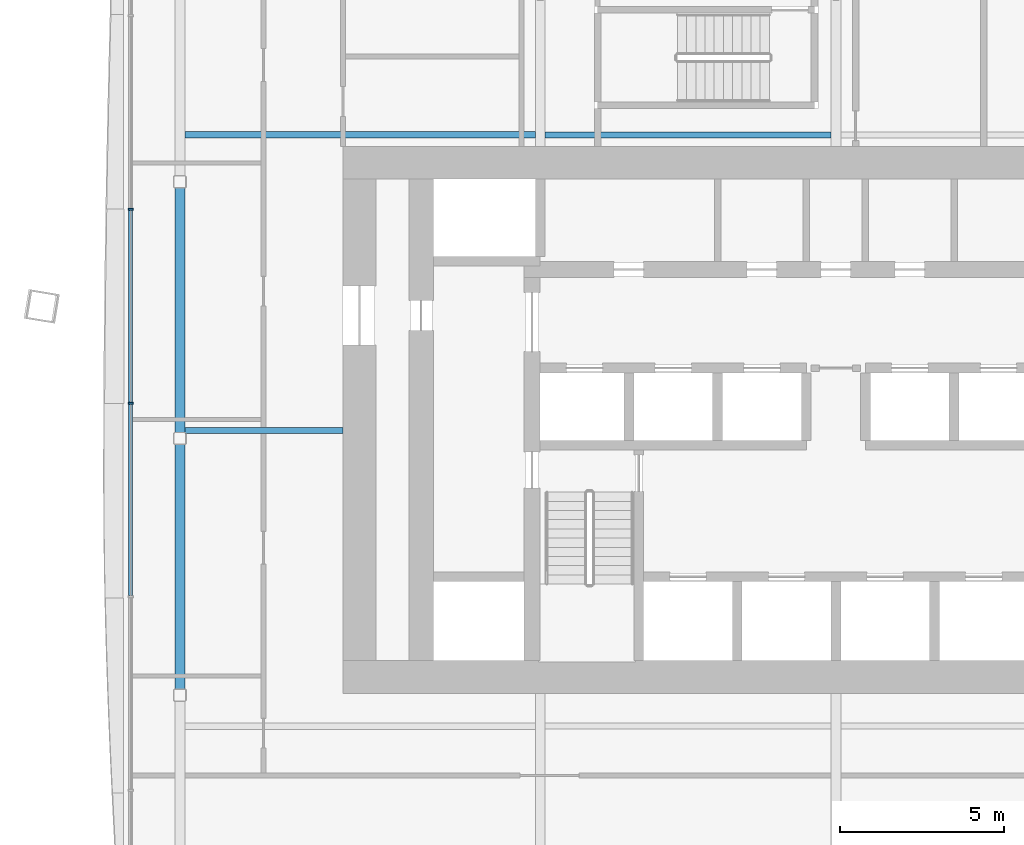
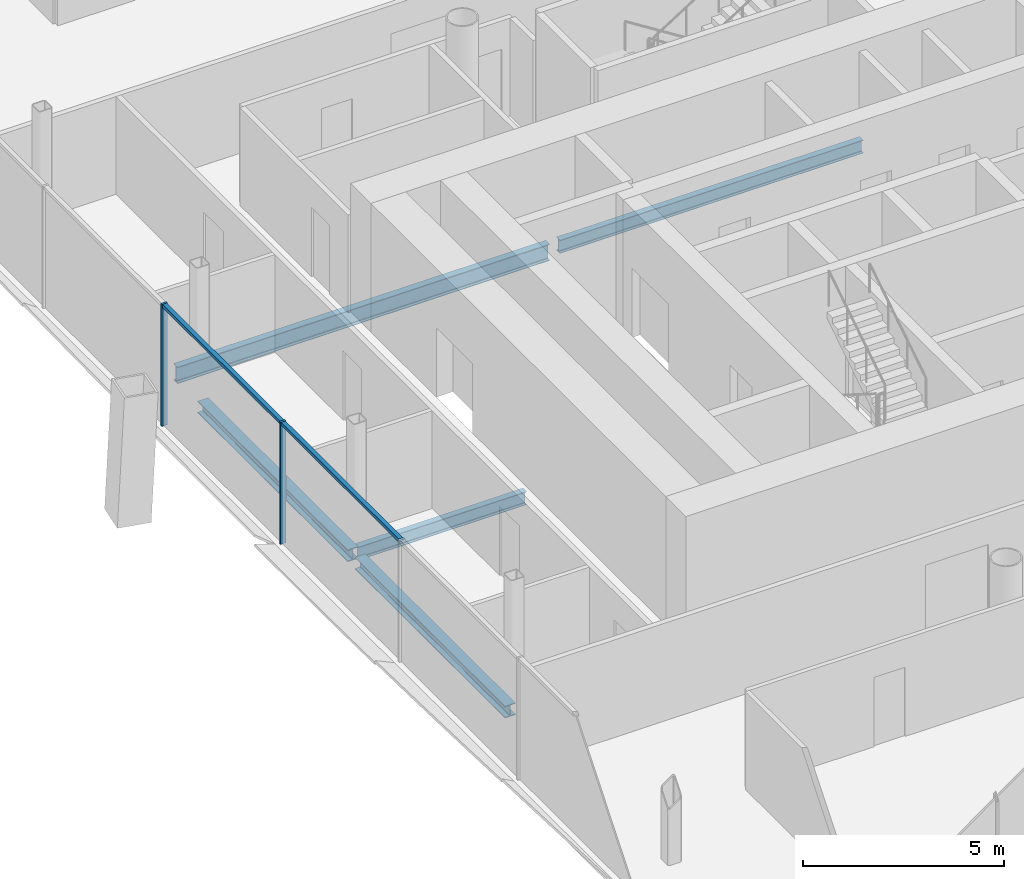
# One storey, part 4 of 19: 5 beams, 4 members, 1 element without a shape of its own.
"""IFC4 building model written with IfcOpenShell, lengths in metres."""

from ifc_helpers import new_model, si_unit, direction, frame, origin, origin_2d, place, context, subcontext, project, spatial, rectangle, i_section, extrude, material, material_profile, profile_set, type_object, element, aggregate, save


model = new_model("IFC4")

# Units and contexts
model_context = context("Model", 3, precision=1e-05, world=origin(), true_north=direction((0.0, 1.0)))
body_context = subcontext(model_context, "Body", "Model", "MODEL_VIEW")
ifc_project = project(units=[si_unit("LENGTHUNIT", "METRE"), si_unit("AREAUNIT", "SQUARE_METRE"), si_unit("VOLUMEUNIT", "CUBIC_METRE"), si_unit("PLANEANGLEUNIT", "RADIAN"), si_unit("MASSUNIT", "GRAM", prefix="KILO")], contexts=[model_context])

# Site, building, storey
site_placement = place(None, origin())
site = spatial("IfcSite", under=ifc_project, at=site_placement, CompositionType="ELEMENT")
building_placement = place(site_placement, origin())
building = spatial("IfcBuilding", under=site, at=building_placement, Name="Tskaro Facet Tower", CompositionType="ELEMENT")
storey_placement = place(building_placement, frame((0.0, 0.0, 93.300048828125)))
storey = spatial("IfcBuildingStorey", under=building, at=storey_placement, Name="L22", CompositionType="ELEMENT", Elevation=93.300048828125)

# Curtain wall, members
ifc_material_1 = material(Name="Bronze anodised aluminium 6063-T6", Category="aluminium")
curtain_wall_type = type_object("IfcCurtainWallType", Name="Bronze office curtain wall (FW1)", PredefinedType="NOTDEFINED", material=ifc_material_1)
curtain_wall_placement = place(storey_placement, origin())
curtain_wall = element("IfcCurtainWall", 1, at=curtain_wall_placement, inside=storey, type_object=curtain_wall_type, Name="FW1 west facet L22", PredefinedType="NOTDEFINED")
ifc_material_profile_1 = material_profile(ifc_material_1, rectangle(XDim=0.06005859375, YDim=0.159912109375, at=origin_2d()), Name="Mullion 60x160")
ifc_profile_set_1 = profile_set([ifc_material_profile_1], Name="Bronze anodised aluminium 6063-T6")
member_type_1 = type_object("IfcMemberType", Name="FW1 bronze mullion 60x160", PredefinedType="MULLION", material=ifc_profile_set_1)
member_1_placement = place(storey_placement, frame((-21.462890625, 2.229736328125, 0.0), z_axis=(0.0, 0.0, 1.0), x_axis=(0.0, -1.0, 0.0)))
member_1 = element("IfcMember", 2, at=member_1_placement, type_object=member_type_1, Name="FW1 west mullion 3", PredefinedType="MULLION", context=body_context, shape_type="SweptSolid", body=[
    extrude(rectangle(XDim=0.06005859375, YDim=0.159912109375, at=origin_2d()), origin(), (0.0, 0.0, 1.0), 3.699951171875),
])
member_2_placement = place(storey_placement, frame((-21.462890625, -3.664794921875, 0.0), z_axis=(0.0, 0.0, 1.0), x_axis=(0.0, -1.0, 0.0)))
member_2 = element("IfcMember", 3, at=member_2_placement, type_object=member_type_1, Name="FW1 west mullion 4", PredefinedType="MULLION", context=body_context, shape_type="SweptSolid", body=[
    extrude(rectangle(XDim=0.06005859375, YDim=0.159912109375, at=origin_2d()), origin(), (0.0, 0.0, 1.0), 3.699951171875),
])
ifc_material_profile_2 = material_profile(ifc_material_1, rectangle(XDim=0.1201171875, YDim=0.10009765625, at=origin_2d()), Name="Transom 120x100")
ifc_profile_set_2 = profile_set([ifc_material_profile_2], Name="Bronze anodised aluminium 6063-T6")
member_type_2 = type_object("IfcMemberType", Name="FW1 bronze transom 120x100", PredefinedType="USERDEFINED", material=ifc_profile_set_2)
member_3_placement = place(storey_placement, frame((-21.462890625, 2.19970703125, 3.64990234375), z_axis=(0.0, -1.0, 0.0), x_axis=(1.0, 0.0, 0.0)))
member_3 = element("IfcMember", 4, at=member_3_placement, type_object=member_type_2, Name="FW1 west transom 4.1", ObjectType="TRANSOM", PredefinedType="USERDEFINED", context=body_context, shape_type="SweptSolid", body=[
    extrude(rectangle(XDim=0.1201171875, YDim=0.10009765625, at=origin_2d()), origin(), (0.0, 0.0, 1.0), 5.83447265625),
])
member_4_placement = place(storey_placement, frame((-21.462890625, -3.69482421875, 3.64990234375), z_axis=(0.0, -1.0, 0.0), x_axis=(1.0, 0.0, 0.0)))
member_4 = element("IfcMember", 5, at=member_4_placement, type_object=member_type_2, Name="FW1 west transom 5.1", ObjectType="TRANSOM", PredefinedType="USERDEFINED", context=body_context, shape_type="SweptSolid", body=[
    extrude(rectangle(XDim=0.1201171875, YDim=0.10009765625, at=origin_2d()), origin(), (0.0, 0.0, 1.0), 5.834228515625),
])
aggregate(curtain_wall, [member_1, member_2, member_3, member_4])

# Beams
ifc_material_2 = material(Name="Steel S355J2", Category="steel")
ifc_material_profile_3 = material_profile(ifc_material_2, i_section(OverallWidth=0.300048828125, OverallDepth=0.360107421875, WebThickness=0.012451171875, FlangeThickness=0.0224609375, FilletRadius=0.027099609375, at=origin_2d()), Name="HE 360 B")
ifc_profile_set_3 = profile_set([ifc_material_profile_3], Name="Steel S355J2")
beam_type_1 = type_object("IfcBeamType", Name="HE 360 B ring beam", PredefinedType="BEAM", material=ifc_profile_set_3)
beam_1_placement = place(storey_placement, frame((-19.965087890625, 2.887939453125, -0.320068359375), z_axis=(0.0, -1.0, 0.0), x_axis=(1.0, 0.0, 0.0)))
element("IfcBeam", 6, at=beam_1_placement, inside=storey, type_object=beam_type_1, Name="HE 360 B EB21-2", PredefinedType="BEAM", context=body_context, shape_type="SweptSolid", body=[
    extrude(i_section(OverallWidth=0.300048828125, OverallDepth=0.360107421875, WebThickness=0.012451171875, FlangeThickness=0.0224609375, FilletRadius=0.027099609375, at=origin_2d()), origin(), (0.0, 0.0, 1.0), 7.449951171875),
])
beam_2_placement = place(storey_placement, frame((-19.965087890625, -4.922119140625, -0.320068359375), z_axis=(0.0, -1.0, 0.0), x_axis=(1.0, 0.0, 0.0)))
element("IfcBeam", 7, at=beam_2_placement, inside=storey, type_object=beam_type_1, Name="HE 360 B EB22-2", PredefinedType="BEAM", context=body_context, shape_type="SweptSolid", body=[
    extrude(i_section(OverallWidth=0.300048828125, OverallDepth=0.360107421875, WebThickness=0.012451171875, FlangeThickness=0.0224609375, FilletRadius=0.027099609375, at=origin_2d()), origin(), (0.0, 0.0, 1.0), 7.450927734375),
])
ifc_material_profile_4 = material_profile(ifc_material_2, i_section(OverallWidth=0.179931640625, OverallDepth=0.39990234375, WebThickness=0.008544921875, FlangeThickness=0.013427734375, FilletRadius=0.02099609375, at=origin_2d()), Name="IPE 400")
ifc_profile_set_4 = profile_set([ifc_material_profile_4], Name="Steel S355J2")
beam_type_2 = type_object("IfcBeamType", Name="IPE 400 secondary beam", PredefinedType="BEAM", material=ifc_profile_set_4)
beam_3_placement = place(storey_placement, frame((-19.81494140625, -4.5, -0.340087890625), z_axis=(1.0, 0.0, 0.0), x_axis=(0.0, 1.0, 0.0)))
element("IfcBeam", 8, at=beam_3_placement, inside=storey, type_object=beam_type_2, Name="IPE 400 SB3a-1-2", PredefinedType="BEAM", context=body_context, shape_type="SweptSolid", body=[
    extrude(i_section(OverallWidth=0.179931640625, OverallDepth=0.39990234375, WebThickness=0.008544921875, FlangeThickness=0.013427734375, FilletRadius=0.02099609375, at=origin_2d()), origin(), (0.0, 0.0, 1.0), 4.81494140625),
])
beam_4_placement = place(storey_placement, frame((-8.85009765625, 4.5, -0.340087890625), z_axis=(1.0, 0.0, 0.0), x_axis=(0.0, 1.0, 0.0)))
element("IfcBeam", 9, at=beam_4_placement, inside=storey, type_object=beam_type_2, Name="IPE 400 SB4a-2-2", PredefinedType="BEAM", context=body_context, shape_type="SweptSolid", body=[
    extrude(i_section(OverallWidth=0.179931640625, OverallDepth=0.39990234375, WebThickness=0.008544921875, FlangeThickness=0.013427734375, FilletRadius=0.02099609375, at=origin_2d()), origin(), (0.0, 0.0, 1.0), 8.7001953125),
])
ifc_material_profile_5 = material_profile(ifc_material_2, i_section(OverallWidth=0.199951171875, OverallDepth=0.5, WebThickness=0.01025390625, FlangeThickness=0.01611328125, FilletRadius=0.02099609375, at=origin_2d()), Name="IPE 500")
ifc_profile_set_5 = profile_set([ifc_material_profile_5], Name="Steel S355J2")
beam_type_3 = type_object("IfcBeamType", Name="IPE 500 long secondary beam", PredefinedType="BEAM", material=ifc_profile_set_5)
beam_5_placement = place(storey_placement, frame((-19.81494140625, 4.5, -0.39013671875), z_axis=(1.0, 0.0, 0.0), x_axis=(0.0, 1.0, 0.0)))
element("IfcBeam", 10, at=beam_5_placement, inside=storey, type_object=beam_type_3, Name="IPE 500 LSB4a-1-2", PredefinedType="BEAM", context=body_context, shape_type="SweptSolid", body=[
    extrude(i_section(OverallWidth=0.199951171875, OverallDepth=0.5, WebThickness=0.01025390625, FlangeThickness=0.01611328125, FilletRadius=0.02099609375, at=origin_2d()), origin(), (0.0, 0.0, 1.0), 10.6650390625),
])

save(model, "model.ifc")
